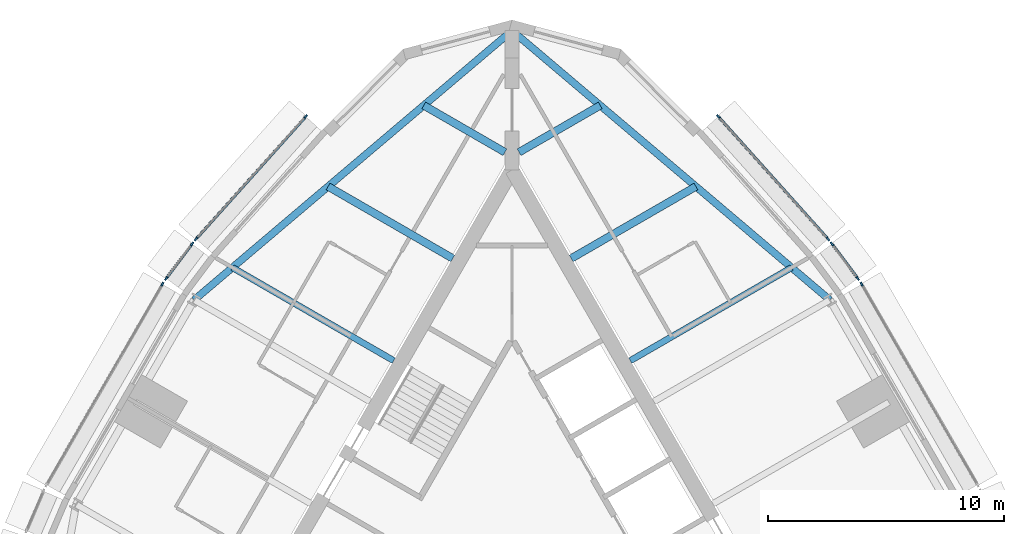
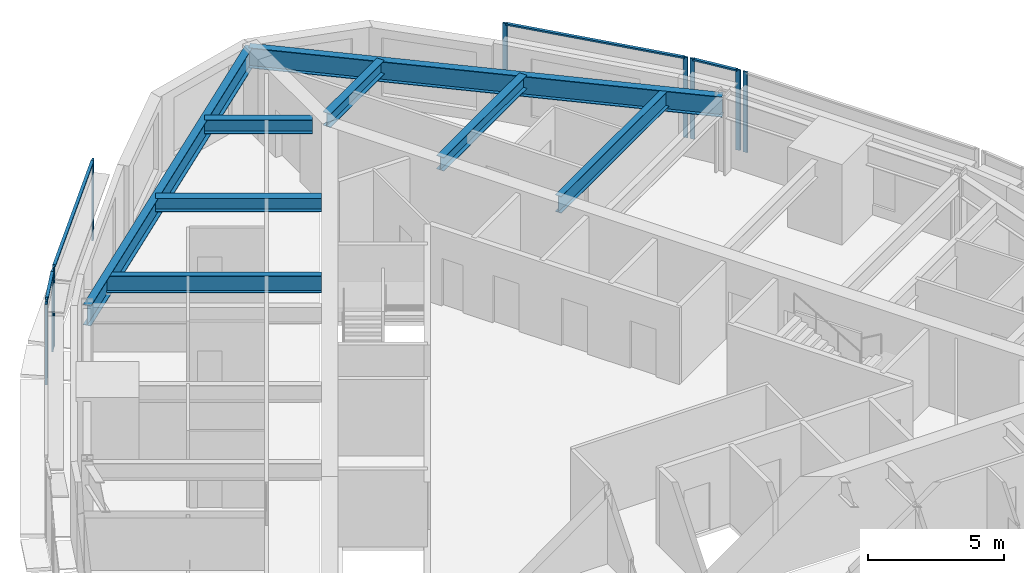
# One storey, part 5 of 12: 14 members, 8 beams, 6 elements without a shape of their own.
"""IFC4 building model written with IfcOpenShell, lengths in metres."""

from ifc_helpers import new_model, si_unit, direction, frame, origin, origin_2d, place, context, subcontext, project, spatial, rectangle, i_section, extrude, material, material_profile, profile_set, type_object, element, aggregate, save


model = new_model("IFC4")

# Units and contexts
model_context = context("Model", 3, precision=1e-05, world=origin(), true_north=direction((0.0, 1.0)))
body_context = subcontext(model_context, "Body", "Model", "MODEL_VIEW")
ifc_project = project(units=[si_unit("LENGTHUNIT", "METRE"), si_unit("AREAUNIT", "SQUARE_METRE"), si_unit("VOLUMEUNIT", "CUBIC_METRE"), si_unit("PLANEANGLEUNIT", "RADIAN"), si_unit("MASSUNIT", "GRAM", prefix="KILO")], contexts=[model_context])

# Site, building, storey
site_placement = place(None, origin())
site = spatial("IfcSite", under=ifc_project, at=site_placement, CompositionType="ELEMENT")
building_placement = place(site_placement, origin())
building = spatial("IfcBuilding", under=site, at=building_placement, Name="Trikona Tower", CompositionType="ELEMENT")
storey_placement = place(building_placement, frame((0.0, 0.0, 246.5)))
storey = spatial("IfcBuildingStorey", under=building, at=storey_placement, Name="L65", CompositionType="ELEMENT", Elevation=246.5)

# Curtain wall, member
ifc_material_1 = material(Name="Aluminium curtain wall system", Category="aluminium")
curtain_wall_type = type_object("IfcCurtainWallType", Name="Curtain wall DS3", PredefinedType="NOTDEFINED", material=ifc_material_1)
curtain_wall_1_placement = place(storey_placement, origin())
curtain_wall_1 = element("IfcCurtainWall", 1, at=curtain_wall_1_placement, inside=storey, type_object=curtain_wall_type, Name="Curtain wall DS3 L65", PredefinedType="NOTDEFINED")
ifc_material_2 = material(Name="Aluminium mullion, pale anodised", Category="aluminium")
ifc_material_profile_1 = material_profile(ifc_material_2, rectangle(XDim=0.070068359375, YDim=0.179931640625, at=origin_2d()), Name="MUL-DS3")
ifc_profile_set_1 = profile_set([ifc_material_profile_1], Name="Aluminium mullion, pale anodised")
member_type_1 = type_object("IfcMemberType", Name="Mullion DS3 70x180", PredefinedType="MULLION", material=ifc_profile_set_1)
member_1_placement = place(storey_placement, frame((14.807861328125, 14.213134765625, 0.0), z_axis=(0.0, 0.0, 1.0), x_axis=(-0.866024619633, -0.500001358187, 0.0)))
member_1 = element("IfcMember", 2, at=member_1_placement, type_object=member_type_1, Name="CW-DS3 mullion 2", PredefinedType="MULLION", context=body_context, shape_type="SweptSolid", body=[
    extrude(rectangle(XDim=0.070068359375, YDim=0.179931640625, at=origin_2d()), origin(), (0.0, 0.0, 1.0), 3.60009765625),
])
aggregate(curtain_wall_1, [member_1])

# Curtain wall, members
curtain_wall_2_placement = place(storey_placement, origin())
curtain_wall_2 = element("IfcCurtainWall", 3, at=curtain_wall_2_placement, inside=storey, type_object=curtain_wall_type, Name="Curtain wall DS3 L65", PredefinedType="NOTDEFINED")
member_2_placement = place(storey_placement, frame((14.644287109375, 14.461181640625, 0.0), z_axis=(0.0, 0.0, 1.0), x_axis=(-0.800259657055, -0.599653634435, 0.0)))
member_2 = element("IfcMember", 4, at=member_2_placement, type_object=member_type_1, Name="CW-DS3 mullion 1", PredefinedType="MULLION", context=body_context, shape_type="SweptSolid", body=[
    extrude(rectangle(XDim=0.070068359375, YDim=0.179931640625, at=origin_2d()), origin(), (0.0, 0.0, 1.0), 3.60009765625),
])
member_3_placement = place(storey_placement, frame((13.55029296875, 15.9208984375, 0.0), z_axis=(0.0, 0.0, 1.0), x_axis=(-0.800259657055, -0.599653634435, 0.0)))
member_3 = element("IfcMember", 5, at=member_3_placement, type_object=member_type_1, Name="CW-DS3 mullion 2", PredefinedType="MULLION", context=body_context, shape_type="SweptSolid", body=[
    extrude(rectangle(XDim=0.070068359375, YDim=0.179931640625, at=origin_2d()), origin(), (0.0, 0.0, 1.0), 3.60009765625),
])

curtain_wall_3_placement = place(storey_placement, origin())
curtain_wall_3 = element("IfcCurtainWall", 6, at=curtain_wall_3_placement, inside=storey, type_object=curtain_wall_type, Name="Curtain wall DS3 L65", PredefinedType="NOTDEFINED")
member_4_placement = place(storey_placement, frame((13.380126953125, 16.128662109375, 0.0), z_axis=(0.0, 0.0, 1.0), x_axis=(-0.744771436797, -0.667319643748, 0.0)))
member_4 = element("IfcMember", 7, at=member_4_placement, type_object=member_type_1, Name="CW-DS3 mullion 1", PredefinedType="MULLION", context=body_context, shape_type="SweptSolid", body=[
    extrude(rectangle(XDim=0.070068359375, YDim=0.179931640625, at=origin_2d()), origin(), (0.0, 0.0, 1.0), 3.60009765625),
])
member_5_placement = place(storey_placement, frame((8.733642578125, 21.314453125, 0.0), z_axis=(0.0, 0.0, 1.0), x_axis=(-0.744771436797, -0.667319643748, 0.0)))
member_5 = element("IfcMember", 8, at=member_5_placement, type_object=member_type_1, Name="CW-DS3 mullion 2", PredefinedType="MULLION", context=body_context, shape_type="SweptSolid", body=[
    extrude(rectangle(XDim=0.070068359375, YDim=0.179931640625, at=origin_2d()), origin(), (0.0, 0.0, 1.0), 3.60009765625),
])

curtain_wall_4_placement = place(storey_placement, origin())
curtain_wall_4 = element("IfcCurtainWall", 9, at=curtain_wall_4_placement, inside=storey, type_object=curtain_wall_type, Name="Curtain wall DS3 L65", PredefinedType="NOTDEFINED")
member_6_placement = place(storey_placement, frame((-8.733642578125, 21.314453125, 0.0), z_axis=(0.0, 0.0, 1.0), x_axis=(0.744771436797, -0.667319643748, 0.0)))
member_6 = element("IfcMember", 10, at=member_6_placement, type_object=member_type_1, Name="CW-DS3 mullion 1", PredefinedType="MULLION", context=body_context, shape_type="SweptSolid", body=[
    extrude(rectangle(XDim=0.070068359375, YDim=0.179931640625, at=origin_2d()), origin(), (0.0, 0.0, 1.0), 3.60009765625),
])
member_7_placement = place(storey_placement, frame((-13.380126953125, 16.128662109375, 0.0), z_axis=(0.0, 0.0, 1.0), x_axis=(0.744771436797, -0.667319643748, 0.0)))
member_7 = element("IfcMember", 11, at=member_7_placement, type_object=member_type_1, Name="CW-DS3 mullion 2", PredefinedType="MULLION", context=body_context, shape_type="SweptSolid", body=[
    extrude(rectangle(XDim=0.070068359375, YDim=0.179931640625, at=origin_2d()), origin(), (0.0, 0.0, 1.0), 3.60009765625),
])

curtain_wall_5_placement = place(storey_placement, origin())
curtain_wall_5 = element("IfcCurtainWall", 12, at=curtain_wall_5_placement, inside=storey, type_object=curtain_wall_type, Name="Curtain wall DS3 L65", PredefinedType="NOTDEFINED")
member_8_placement = place(storey_placement, frame((-13.55029296875, 15.9208984375, 0.0), z_axis=(0.0, 0.0, 1.0), x_axis=(0.800259657055, -0.599653634435, 0.0)))
member_8 = element("IfcMember", 13, at=member_8_placement, type_object=member_type_1, Name="CW-DS3 mullion 1", PredefinedType="MULLION", context=body_context, shape_type="SweptSolid", body=[
    extrude(rectangle(XDim=0.070068359375, YDim=0.179931640625, at=origin_2d()), origin(), (0.0, 0.0, 1.0), 3.60009765625),
])
member_9_placement = place(storey_placement, frame((-14.644287109375, 14.461181640625, 0.0), z_axis=(0.0, 0.0, 1.0), x_axis=(0.800259657055, -0.599653634435, 0.0)))
member_9 = element("IfcMember", 14, at=member_9_placement, type_object=member_type_1, Name="CW-DS3 mullion 2", PredefinedType="MULLION", context=body_context, shape_type="SweptSolid", body=[
    extrude(rectangle(XDim=0.070068359375, YDim=0.179931640625, at=origin_2d()), origin(), (0.0, 0.0, 1.0), 3.60009765625),
])

# Curtain wall, member
curtain_wall_6_placement = place(storey_placement, origin())
curtain_wall_6 = element("IfcCurtainWall", 15, at=curtain_wall_6_placement, inside=storey, type_object=curtain_wall_type, Name="Curtain wall DS3 L65", PredefinedType="NOTDEFINED")
member_10_placement = place(storey_placement, frame((-14.807861328125, 14.213134765625, 0.0), z_axis=(0.0, 0.0, 1.0), x_axis=(0.866024619633, -0.500001358187, 0.0)))
member_10 = element("IfcMember", 16, at=member_10_placement, type_object=member_type_1, Name="CW-DS3 mullion 1", PredefinedType="MULLION", context=body_context, shape_type="SweptSolid", body=[
    extrude(rectangle(XDim=0.070068359375, YDim=0.179931640625, at=origin_2d()), origin(), (0.0, 0.0, 1.0), 3.60009765625),
])
aggregate(curtain_wall_6, [member_10])

# Beams
ifc_material_3 = material(Name="Steel ASTM A992 Grade 50", Category="steel")
ifc_material_profile_2 = material_profile(ifc_material_3, i_section(OverallWidth=0.3251953125, OverallDepth=0.612060546875, WebThickness=0.0126953125, FlangeThickness=0.01904296875, at=origin_2d()), Name="W24X104")
ifc_profile_set_2 = profile_set([ifc_material_profile_2], Name="Steel ASTM A992 Grade 50")
beam_type_1 = type_object("IfcBeamType", Name="Steel beam W24x104 (wedge upper)", PredefinedType="BEAM", material=ifc_profile_set_2)
beam_1_placement = place(storey_placement, frame((2.509765625, 15.305419921875, 3.12890625), z_axis=(0.866023498866, 0.500003299401, 0.0), x_axis=(-0.500003299401, 0.866023498866, 0.0)))
element("IfcBeam", 17, at=beam_1_placement, inside=storey, type_object=beam_type_1, Name="Floor beam L66 F2 u12", PredefinedType="BEAM", context=body_context, shape_type="SweptSolid", body=[
    extrude(i_section(OverallWidth=0.3251953125, OverallDepth=0.612060546875, WebThickness=0.0126953125, FlangeThickness=0.01904296875, at=origin_2d()), origin(), (0.0, 0.0, 1.0), 6.09521484375),
])
for number, where, z_axis, x_axis, name in (
    (18, (0.300048828125, 19.802978515625, 3.12890625), (0.866004223388, 0.500036683728, 0.0), (-0.500036683728, 0.866004223388, 0.0), "Floor beam L66 F2 u17"),
    (19, (-0.300048828125, 19.802978515625, 3.12890625), (-0.866004223388, 0.500036683728, 0.0), (-0.500036683728, -0.866004223388, 0.0), "Floor beam L66 F3 u-17"),
):
    element("IfcBeam", number, at=place(storey_placement, frame(where, z_axis=z_axis, x_axis=x_axis)), inside=storey, type_object=beam_type_1, Name=name, PredefinedType="BEAM", context=body_context, shape_type="SweptSolid", body=[
        extrude(i_section(OverallWidth=0.3251953125, OverallDepth=0.612060546875, WebThickness=0.0126953125, FlangeThickness=0.01904296875, at=origin_2d()), origin(), (0.0, 0.0, 1.0), 3.968017578125),
    ])
beam_2_placement = place(storey_placement, frame((-2.509765625, 15.305419921875, 3.12890625), z_axis=(-0.866023498866, 0.500003299401, 0.0), x_axis=(-0.500003299401, -0.866023498866, 0.0)))
element("IfcBeam", 20, at=beam_2_placement, inside=storey, type_object=beam_type_1, Name="Floor beam L66 F3 u-12", PredefinedType="BEAM", context=body_context, shape_type="SweptSolid", body=[
    extrude(i_section(OverallWidth=0.3251953125, OverallDepth=0.612060546875, WebThickness=0.0126953125, FlangeThickness=0.01904296875, at=origin_2d()), origin(), (0.0, 0.0, 1.0), 6.09521484375),
])
ifc_material_4 = material(Name="Steel ASTM A992 Grade 50", Category="steel")
ifc_material_profile_3 = material_profile(ifc_material_4, i_section(OverallWidth=0.2666015625, OverallDepth=0.7568359375, WebThickness=0.013916015625, FlangeThickness=0.019287109375, at=origin_2d()), Name="W30X108")
ifc_profile_set_3 = profile_set([ifc_material_profile_3], Name="Steel ASTM A992 Grade 50")
beam_type_2 = type_object("IfcBeamType", Name="Steel beam W30x108 (radial upper)", PredefinedType="BEAM", material=ifc_profile_set_3)
for number, where, z_axis, x_axis, name in (
    (21, (5.009765625, 10.975341796875, 3.056396484375), (0.866034560358, 0.499984140014, 0.0), (-0.499984140014, 0.866034560358, 0.0), "Floor beam L66 F2 u7"),
    (22, (-5.009765625, 10.975341796875, 3.056396484375), (-0.866034560358, 0.499984140014, 0.0), (-0.499984140014, -0.866034560358, 0.0), "Floor beam L66 F3 u-7"),
):
    element("IfcBeam", number, at=place(storey_placement, frame(where, z_axis=z_axis, x_axis=x_axis)), inside=storey, type_object=beam_type_2, Name=name, PredefinedType="BEAM", context=body_context, shape_type="SweptSolid", body=[
        extrude(i_section(OverallWidth=0.2666015625, OverallDepth=0.7568359375, WebThickness=0.013916015625, FlangeThickness=0.019287109375, at=origin_2d()), origin(), (0.0, 0.0, 1.0), 7.887451171875),
    ])
ifc_material_5 = material(Name="Steel ASTM A992 Grade 50", Category="steel")
ifc_material_profile_4 = material_profile(ifc_material_5, i_section(OverallWidth=0.3046875, OverallDepth=0.911865234375, WebThickness=0.015869140625, FlangeThickness=0.02392578125, at=origin_2d()), Name="W36X150")
ifc_profile_set_4 = profile_set([ifc_material_profile_4], Name="Steel ASTM A992 Grade 50")
beam_type_3 = type_object("IfcBeamType", Name="Steel beam W36x150 (spandrel upper)", PredefinedType="SPANDREL", material=ifc_profile_set_4)
for number, where, z_axis, x_axis, name in (
    (23, (13.461181640625, 13.54541015625, 2.97900390625), (-0.762890626803, 0.646527564405, 0.0), (-0.646527564405, -0.762890626803, 0.0), "Spandrel beam L66 F2-3"),
    (24, (0.0, 24.953369140625, 2.97900390625), (-0.762890626803, -0.646527564405, 0.0), (0.646527564405, -0.762890626803, 0.0), "Spandrel beam L66 F3-1"),
):
    element("IfcBeam", number, at=place(storey_placement, frame(where, z_axis=z_axis, x_axis=x_axis)), inside=storey, type_object=beam_type_3, Name=name, PredefinedType="SPANDREL", context=body_context, shape_type="SweptSolid", body=[
        extrude(i_section(OverallWidth=0.3046875, OverallDepth=0.911865234375, WebThickness=0.015869140625, FlangeThickness=0.02392578125, at=origin_2d()), origin(), (0.0, 0.0, 1.0), 17.64501953125),
    ])

# Member
ifc_material_6 = material(Name="Aluminium transom, pale anodised", Category="aluminium")
ifc_material_profile_5 = material_profile(ifc_material_6, rectangle(XDim=0.1201171875, YDim=0.070068359375, at=origin_2d()), Name="TRN-DS3")
ifc_profile_set_5 = profile_set([ifc_material_profile_5], Name="Aluminium transom, pale anodised")
member_type_2 = type_object("IfcMemberType", Name="Transom DS3 70x120", PredefinedType="USERDEFINED", material=ifc_profile_set_5)
member_11_placement = place(storey_placement, frame((14.623291015625, 14.489013671875, 3.56494140625), z_axis=(-0.599621429645, 0.80028378786, 0.0), x_axis=(-0.80028378786, -0.599621429645, 0.0)))
member_11 = element("IfcMember", 25, at=member_11_placement, type_object=member_type_2, Name="CW-DS3 transom 1.1", ObjectType="TRANSOM", PredefinedType="USERDEFINED", context=body_context, shape_type="SweptSolid", body=[
    extrude(rectangle(XDim=0.1201171875, YDim=0.070068359375, at=origin_2d()), origin(), (0.0, 0.0, 1.0), 1.75439453125),
])

aggregate(curtain_wall_2, [member_2, member_3, member_11])

member_12_placement = place(storey_placement, frame((13.356689453125, 16.15478515625, 3.56494140625), z_axis=(-0.667313410703, 0.744777021595, 0.0), x_axis=(-0.744777021595, -0.667313410703, 0.0)))
member_12 = element("IfcMember", 26, at=member_12_placement, type_object=member_type_2, Name="CW-DS3 transom 1.1", ObjectType="TRANSOM", PredefinedType="USERDEFINED", context=body_context, shape_type="SweptSolid", body=[
    extrude(rectangle(XDim=0.1201171875, YDim=0.070068359375, at=origin_2d()), origin(), (0.0, 0.0, 1.0), 6.892822265625),
])

aggregate(curtain_wall_3, [member_4, member_5, member_12])

member_13_placement = place(storey_placement, frame((-8.757080078125, 21.288330078125, 3.56494140625), z_axis=(-0.667313410703, -0.744777021595, 0.0), x_axis=(0.744777021595, -0.667313410703, 0.0)))
member_13 = element("IfcMember", 27, at=member_13_placement, type_object=member_type_2, Name="CW-DS3 transom 1.1", ObjectType="TRANSOM", PredefinedType="USERDEFINED", context=body_context, shape_type="SweptSolid", body=[
    extrude(rectangle(XDim=0.1201171875, YDim=0.070068359375, at=origin_2d()), origin(), (0.0, 0.0, 1.0), 6.892822265625),
])

aggregate(curtain_wall_4, [member_6, member_7, member_13])

member_14_placement = place(storey_placement, frame((-13.5712890625, 15.89306640625, 3.56494140625), z_axis=(-0.599621429645, -0.80028378786, 0.0), x_axis=(0.80028378786, -0.599621429645, 0.0)))
member_14 = element("IfcMember", 28, at=member_14_placement, type_object=member_type_2, Name="CW-DS3 transom 1.1", ObjectType="TRANSOM", PredefinedType="USERDEFINED", context=body_context, shape_type="SweptSolid", body=[
    extrude(rectangle(XDim=0.1201171875, YDim=0.070068359375, at=origin_2d()), origin(), (0.0, 0.0, 1.0), 1.75439453125),
])

aggregate(curtain_wall_5, [member_8, member_9, member_14])

save(model, "model.ifc")
